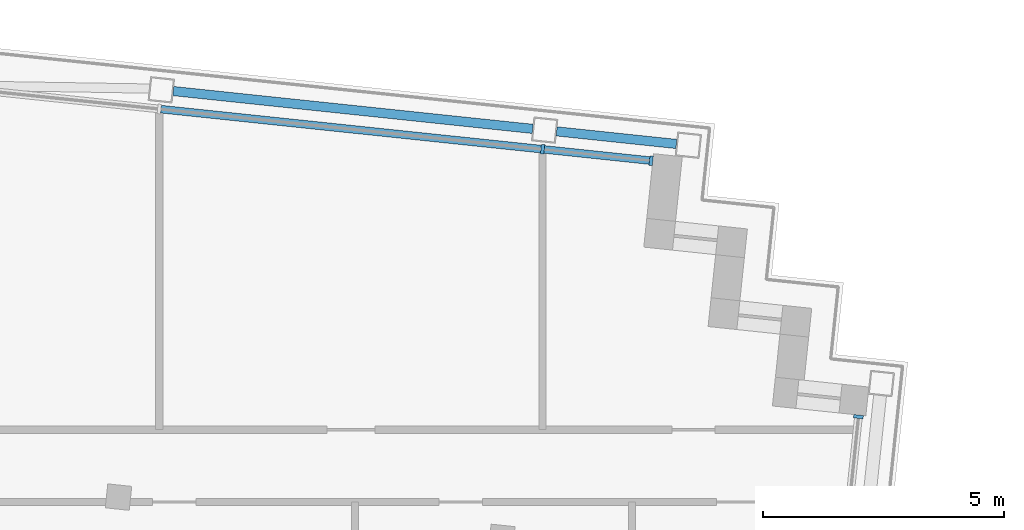
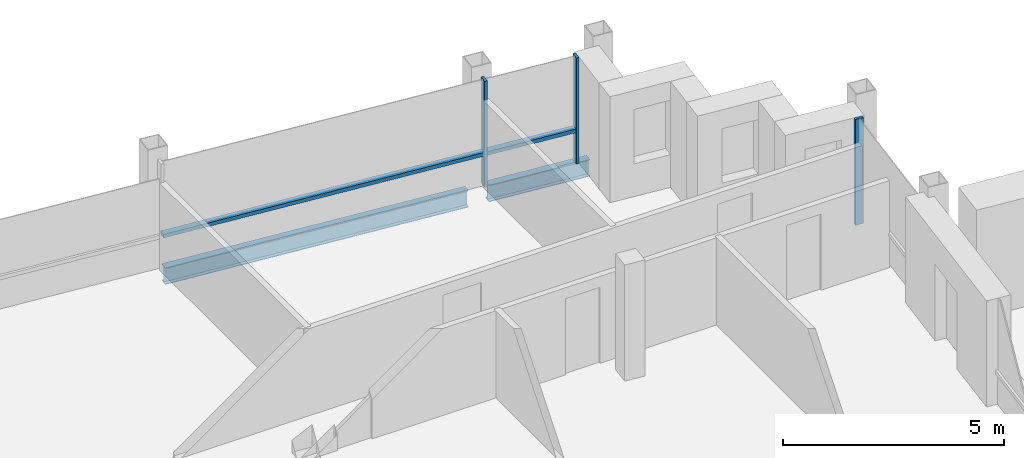
# One storey, part 6 of 16: 5 members, 2 beams, 2 elements without a shape of their own.
"""IFC4 building model written with IfcOpenShell, lengths in metres."""

from ifc_helpers import new_model, si_unit, direction, frame, origin, origin_2d, place, context, subcontext, project, spatial, rectangle, i_section, extrude, material, material_profile, profile_set, type_object, element, aggregate, save


model = new_model("IFC4")

# Units and contexts
model_context = context("Model", 3, precision=1e-05, world=origin(), true_north=direction((0.0, 1.0)))
body_context = subcontext(model_context, "Body", "Model", "MODEL_VIEW")
ifc_project = project(units=[si_unit("LENGTHUNIT", "METRE"), si_unit("AREAUNIT", "SQUARE_METRE"), si_unit("VOLUMEUNIT", "CUBIC_METRE"), si_unit("PLANEANGLEUNIT", "RADIAN"), si_unit("MASSUNIT", "GRAM", prefix="KILO")], contexts=[model_context])

# Site, building, storey
site_placement = place(None, origin())
site = spatial("IfcSite", under=ifc_project, at=site_placement, CompositionType="ELEMENT")
building_placement = place(site_placement, origin())
building = spatial("IfcBuilding", under=site, at=building_placement, Name="Vidyagriha Tower", CompositionType="ELEMENT")
storey_placement = place(building_placement, frame((0.0, 0.0, 253.10009765625)))
storey = spatial("IfcBuildingStorey", under=building, at=storey_placement, Name="L65", CompositionType="ELEMENT", Elevation=253.10009765625)

# Beams
ifc_material_1 = material(Name="Steel ASTM A992 Grade 50", Category="steel")
ifc_material_profile_1 = material_profile(ifc_material_1, i_section(OverallWidth=0.19189453125, OverallDepth=0.46240234375, WebThickness=0.010498046875, FlangeThickness=0.017578125, at=origin_2d()), Name="W18X60")
ifc_profile_set_1 = profile_set([ifc_material_profile_1], Name="Steel ASTM A992 Grade 50")
beam_type = type_object("IfcBeamType", Name="Edge beam W18X60", PredefinedType="SPANDREL", material=ifc_profile_set_1)
beam_1_placement = place(storey_placement, frame((18.130615234375, 19.472412109375, -0.51123046875), z_axis=(0.994519000353, -0.104556003834, 0.0), x_axis=(0.104556003834, 0.994519000353, 0.0)))
element("IfcBeam", 1, at=beam_1_placement, inside=storey, type_object=beam_type, Name="st-beam-L65-NE19", PredefinedType="SPANDREL", context=body_context, shape_type="SweptSolid", body=[
    extrude(i_section(OverallWidth=0.19189453125, OverallDepth=0.46240234375, WebThickness=0.010498046875, FlangeThickness=0.017578125, at=origin_2d()), origin(), (0.0, 0.0, 1.0), 7.5),
])
beam_2_placement = place(storey_placement, frame((26.0869140625, 18.635986328125, -0.51123046875), z_axis=(0.994524701544, -0.104501760842, 0.0), x_axis=(0.104501760842, 0.994524701544, 0.0)))
element("IfcBeam", 2, at=beam_2_placement, inside=storey, type_object=beam_type, Name="st-beam-L65-NE20", PredefinedType="SPANDREL", context=body_context, shape_type="SweptSolid", body=[
    extrude(i_section(OverallWidth=0.19189453125, OverallDepth=0.46240234375, WebThickness=0.010498046875, FlangeThickness=0.017578125, at=origin_2d()), origin(), (0.0, 0.0, 1.0), 2.499755859375),
])

# Curtain wall, members
ifc_material_2 = material(Name="Aluminium and glass curtain wall", Category="aluminium")
curtain_wall_type = type_object("IfcCurtainWallType", Name="Dwelling skin unitised curtain wall", PredefinedType="USERDEFINED", material=ifc_material_2)
curtain_wall_1_placement = place(storey_placement, origin())
curtain_wall_1 = element("IfcCurtainWall", 3, at=curtain_wall_1_placement, inside=storey, type_object=curtain_wall_type, Name="CW1 dwelling skin", ObjectType="UNITISED", PredefinedType="USERDEFINED")
ifc_material_3 = material(Name="Aluminium black anodised", Category="aluminium")
ifc_material_profile_2 = material_profile(ifc_material_3, rectangle(XDim=0.199951171875, YDim=0.070068359375, at=origin_2d()), Name="Mullion 70x200 black aluminium")
ifc_profile_set_2 = profile_set([ifc_material_profile_2], Name="Aluminium black anodised")
member_type_1 = type_object("IfcMemberType", Name="Mullion 70x200 black aluminium", PredefinedType="MULLION", material=ifc_profile_set_2)
member_1_placement = place(storey_placement, frame((28.049072265625, 18.027587890625, 0.0), z_axis=(0.0, 0.0, 1.0), x_axis=(-0.104528852722, -0.994521854435, 0.0)))
member_1 = element("IfcMember", 4, at=member_1_placement, type_object=member_type_1, Name="CW1 mullion 1", PredefinedType="MULLION", context=body_context, shape_type="SweptSolid", body=[
    extrude(rectangle(XDim=0.199951171875, YDim=0.070068359375, at=origin_2d()), origin(), (0.0, 0.0, 1.0), 2.919921875),
])
member_2_placement = place(storey_placement, frame((25.79638671875, 18.264404296875, 0.0), z_axis=(0.0, 0.0, 1.0), x_axis=(-0.104528852722, -0.994521854435, 0.0)))
member_2 = element("IfcMember", 5, at=member_2_placement, type_object=member_type_1, Name="CW1 mullion 2", PredefinedType="MULLION", context=body_context, shape_type="SweptSolid", body=[
    extrude(rectangle(XDim=0.199951171875, YDim=0.070068359375, at=origin_2d()), origin(), (0.0, 0.0, 1.0), 2.919921875),
])

# Curtain wall, member
curtain_wall_2_placement = place(storey_placement, origin())
curtain_wall_2 = element("IfcCurtainWall", 6, at=curtain_wall_2_placement, inside=storey, type_object=curtain_wall_type, Name="CW1 dwelling skin", ObjectType="UNITISED", PredefinedType="USERDEFINED")
member_3_placement = place(storey_placement, frame((32.35205078125, 12.713623046875, 0.0), z_axis=(0.0, 0.0, 1.0), x_axis=(-0.994523205451, 0.10451599791, 0.0)))
member_3 = element("IfcMember", 7, at=member_3_placement, type_object=member_type_1, Name="CW1 mullion 2", PredefinedType="MULLION", context=body_context, shape_type="SweptSolid", body=[
    extrude(rectangle(XDim=0.199951171875, YDim=0.070068359375, at=origin_2d()), origin(), (0.0, 0.0, 1.0), 2.919921875),
])
aggregate(curtain_wall_2, [member_3])

# Member
ifc_material_4 = material(Name="Aluminium black anodised", Category="aluminium")
ifc_material_profile_3 = material_profile(ifc_material_4, rectangle(XDim=0.159912109375, YDim=0.10009765625, at=origin_2d()), Name="Transom 100x160 black aluminium")
ifc_profile_set_3 = profile_set([ifc_material_profile_3], Name="Aluminium black anodised")
member_type_2 = type_object("IfcMemberType", Name="Transom 100x160 black aluminium", PredefinedType="USERDEFINED", material=ifc_profile_set_3)
member_4_placement = place(storey_placement, frame((28.01416015625, 18.03125, 0.89990234375), z_axis=(-0.994518853465, 0.104557400991, 0.0), x_axis=(-0.104557400991, -0.994518853465, 0.0)))
member_4 = element("IfcMember", 8, at=member_4_placement, type_object=member_type_2, Name="CW1 transom 1.1", ObjectType="TRANSOM", PredefinedType="USERDEFINED", context=body_context, shape_type="SweptSolid", body=[
    extrude(rectangle(XDim=0.159912109375, YDim=0.10009765625, at=origin_2d()), origin(), (0.0, 0.0, 1.0), 2.19482421875),
])

member_5_placement = place(storey_placement, frame((25.761474609375, 18.26806640625, 0.89990234375), z_axis=(-0.994522478205, 0.104522917794, 0.0), x_axis=(-0.104522917794, -0.994522478205, 0.0)))
member_5 = element("IfcMember", 9, at=member_5_placement, type_object=member_type_2, Name="CW1 transom 2.1", ObjectType="TRANSOM", PredefinedType="USERDEFINED", context=body_context, shape_type="SweptSolid", body=[
    extrude(rectangle(XDim=0.159912109375, YDim=0.10009765625, at=origin_2d()), origin(), (0.0, 0.0, 1.0), 7.929931640625),
])

aggregate(curtain_wall_1, [member_1, member_2, member_4, member_5])

save(model, "model.ifc")
